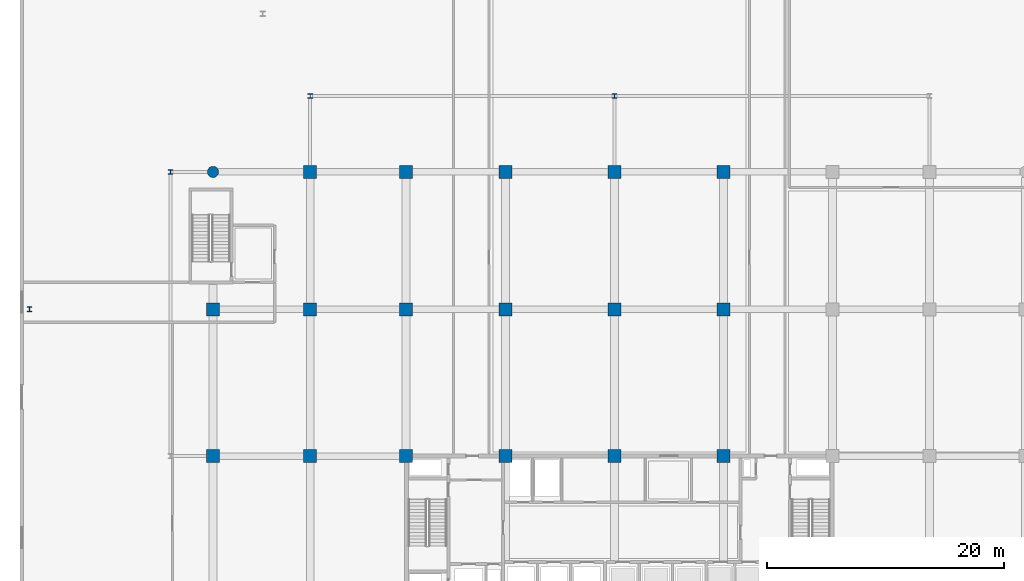
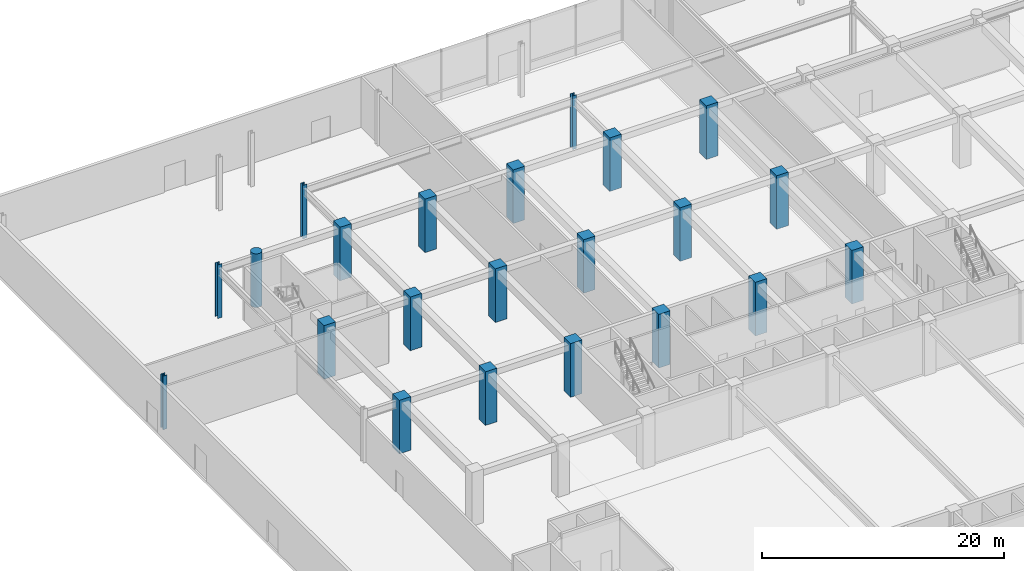
# One storey, part 7 of 46: 22 columns.
"""IFC4 building model written with IfcOpenShell, lengths in metres."""

from ifc_helpers import new_model, si_unit, direction, frame, origin, origin_2d, place, context, subcontext, project, spatial, rectangle, circle, i_section, extrude, material, material_profile, profile_set, type_object, element, save


model = new_model("IFC4")

# Units and contexts
model_context = context("Model", 3, precision=1e-05, world=origin(), true_north=direction((0.0, 1.0)))
body_context = subcontext(model_context, "Body", "Model", "MODEL_VIEW")
ifc_project = project(units=[si_unit("LENGTHUNIT", "METRE"), si_unit("AREAUNIT", "SQUARE_METRE"), si_unit("VOLUMEUNIT", "CUBIC_METRE"), si_unit("PLANEANGLEUNIT", "RADIAN"), si_unit("MASSUNIT", "GRAM", prefix="KILO")], contexts=[model_context])

# Site, building, storey
site_placement = place(None, origin())
site = spatial("IfcSite", under=ifc_project, at=site_placement, CompositionType="ELEMENT")
building_placement = place(site_placement, origin())
building = spatial("IfcBuilding", under=site, at=building_placement, Name="Korimba Cascade Residences", CompositionType="ELEMENT")
storey_placement = place(building_placement, origin())
storey = spatial("IfcBuildingStorey", under=building, at=storey_placement, Name="L00", CompositionType="ELEMENT", Elevation=0.0)

# Columns
ifc_material_1 = material(Name="Concrete C80/95", Category="concrete")
ifc_material_profile_1 = material_profile(ifc_material_1, rectangle(XDim=1.10009765625, YDim=1.10009765625, at=origin_2d()), Name="Concrete C80/95")
ifc_profile_set_1 = profile_set([ifc_material_profile_1], Name="Concrete C80/95")
column_type_1 = type_object("IfcColumnType", Name="COL-RC-1100", PredefinedType="COLUMN", material=ifc_profile_set_1)
for number, where, z_axis, x_axis, name in (
    (1, (59.800048828125, 67.199951171875, 0.0), (0.0, 0.0, 1.0), (1.0, 0.0, 0.0), "L00 Tower 1 Column 1.2"),
    (2, (59.800048828125, 79.60009765625, 0.0), (0.0, 0.0, 1.0), (1.0, 0.0, 0.0), "L00 Tower 1 Column 1.3"),
    (3, (68.0, 67.199951171875, 0.0), (0.0, 0.0, 1.0), (1.0, 0.0, 0.0), "L00 Tower 1 Column 2.2"),
    (4, (68.0, 79.60009765625, 0.0), (0.0, 0.0, 1.0), (1.0, 0.0, 0.0), "L00 Tower 1 Column 2.3"),
    (5, (68.0, 91.199951171875, 0.0), (0.0, 0.0, 1.0), (1.0, 0.0, 0.0), "L00 Tower 1 Column 2.4"),
    (6, (76.10009765625, 67.199951171875, 0.0), (0.0, 0.0, 1.0), (1.0, 0.0, 0.0), "L00 Tower 1 Column 3.2"),
    (7, (76.10009765625, 79.60009765625, 0.0), (0.0, 0.0, 1.0), (1.0, 0.0, 0.0), "L00 Tower 1 Column 3.3"),
    (8, (76.10009765625, 91.199951171875, 0.0), (0.0, 0.0, 1.0), (1.0, 0.0, 0.0), "L00 Tower 1 Column 3.4"),
    (9, (84.5, 67.199951171875, 0.0), (0.0, 0.0, 1.0), (1.0, 0.0, 0.0), "L00 Tower 1 Column 4.2"),
    (10, (84.5, 79.60009765625, 0.0), (0.0, 0.0, 1.0), (1.0, 0.0, 0.0), "L00 Tower 1 Column 4.3"),
    (11, (84.5, 91.199951171875, 0.0), (0.0, 0.0, 1.0), (1.0, 0.0, 0.0), "L00 Tower 1 Column 4.4"),
    (12, (93.699951171875, 67.199951171875, 0.0), (0.0, 0.0, 1.0), (1.0, 0.0, 0.0), "L00 Tower 1 Column 5.2"),
    (13, (93.699951171875, 79.60009765625, 0.0), (0.0, 0.0, 1.0), (1.0, 0.0, 0.0), "L00 Tower 1 Column 5.3"),
    (14, (93.699951171875, 91.199951171875, 0.0), (0.0, 0.0, 1.0), (1.0, 0.0, 0.0), "L00 Tower 1 Column 5.4"),
    (15, (102.89990234375, 67.199951171875, 0.0), (0.0, 0.0, 1.0), (1.0, 0.0, 0.0), "L00 Tower 1 Column 6.2"),
    (16, (102.89990234375, 79.60009765625, 0.0), (0.0, 0.0, 1.0), (1.0, 0.0, 0.0), "L00 Tower 1 Column 6.3"),
    (17, (102.89990234375, 91.199951171875, 0.0), (0.0, 0.0, 1.0), (1.0, 0.0, 0.0), "L00 Tower 1 Column 6.4"),
):
    element("IfcColumn", number, at=place(storey_placement, frame(where, z_axis=z_axis, x_axis=x_axis)), inside=storey, type_object=column_type_1, Name=name, PredefinedType="COLUMN", context=body_context, shape_type="SweptSolid", body=[
        extrude(rectangle(XDim=1.10009765625, YDim=1.10009765625, at=origin_2d()), origin(), (0.0, 0.0, 1.0), 5.39990234375),
    ])
ifc_material_profile_2 = material_profile(ifc_material_1, circle(Radius=0.47509765625, at=origin_2d()), Name="Concrete C80/95")
ifc_profile_set_2 = profile_set([ifc_material_profile_2], Name="Concrete C80/95")
column_type_2 = type_object("IfcColumnType", Name="COL-RC-D950", PredefinedType="COLUMN", material=ifc_profile_set_2)
column_placement = place(storey_placement, frame((59.800048828125, 91.199951171875, 0.0), z_axis=(0.0, 0.0, 1.0), x_axis=(1.0, 0.0, 0.0)))
element("IfcColumn", 18, at=column_placement, inside=storey, type_object=column_type_2, Name="L00 Tower 1 Column 1.4", PredefinedType="COLUMN", context=body_context, shape_type="SweptSolid", body=[
    extrude(circle(Radius=0.47509765625, at=origin_2d()), origin(), (0.0, 0.0, 1.0), 5.39990234375),
])
ifc_material_2 = material(Name="Steel S355", Category="steel")
ifc_material_profile_3 = material_profile(ifc_material_2, i_section(OverallWidth=0.39892578125, OverallDepth=0.3935546875, WebThickness=0.022705078125, FlangeThickness=0.03662109375, FilletRadius=0.01513671875, at=origin_2d()), Name="Steel S355")
ifc_profile_set_3 = profile_set([ifc_material_profile_3], Name="Steel S355")
column_type_3 = type_object("IfcColumnType", Name="COL-STL-UC287", PredefinedType="COLUMN", material=ifc_profile_set_3)
for number, where, z_axis, x_axis, name in (
    (19, (56.199951171875, 91.199951171875, 0.0), (0.0, 0.0, 1.0), (1.0, 0.0, 0.0), "L00 Podium Column PCW4"),
    (20, (68.0, 97.60009765625, 0.0), (0.0, 0.0, 1.0), (1.0, 0.0, 0.0), "L00 Podium Column PCN1"),
    (21, (93.699951171875, 97.60009765625, 0.0), (0.0, 0.0, 1.0), (1.0, 0.0, 0.0), "L00 Podium Column PCN2"),
    (22, (44.300048828125, 79.60009765625, 0.0), (0.0, 0.0, 1.0), (1.0, 0.0, 0.0), "L00 Podium Column PLW4"),
):
    element("IfcColumn", number, at=place(storey_placement, frame(where, z_axis=z_axis, x_axis=x_axis)), inside=storey, type_object=column_type_3, Name=name, PredefinedType="COLUMN", context=body_context, shape_type="SweptSolid", body=[
        extrude(i_section(OverallWidth=0.39892578125, OverallDepth=0.3935546875, WebThickness=0.022705078125, FlangeThickness=0.03662109375, FilletRadius=0.01513671875, at=origin_2d()), origin(), (0.0, 0.0, 1.0), 5.39990234375),
    ])

save(model, "model.ifc")
